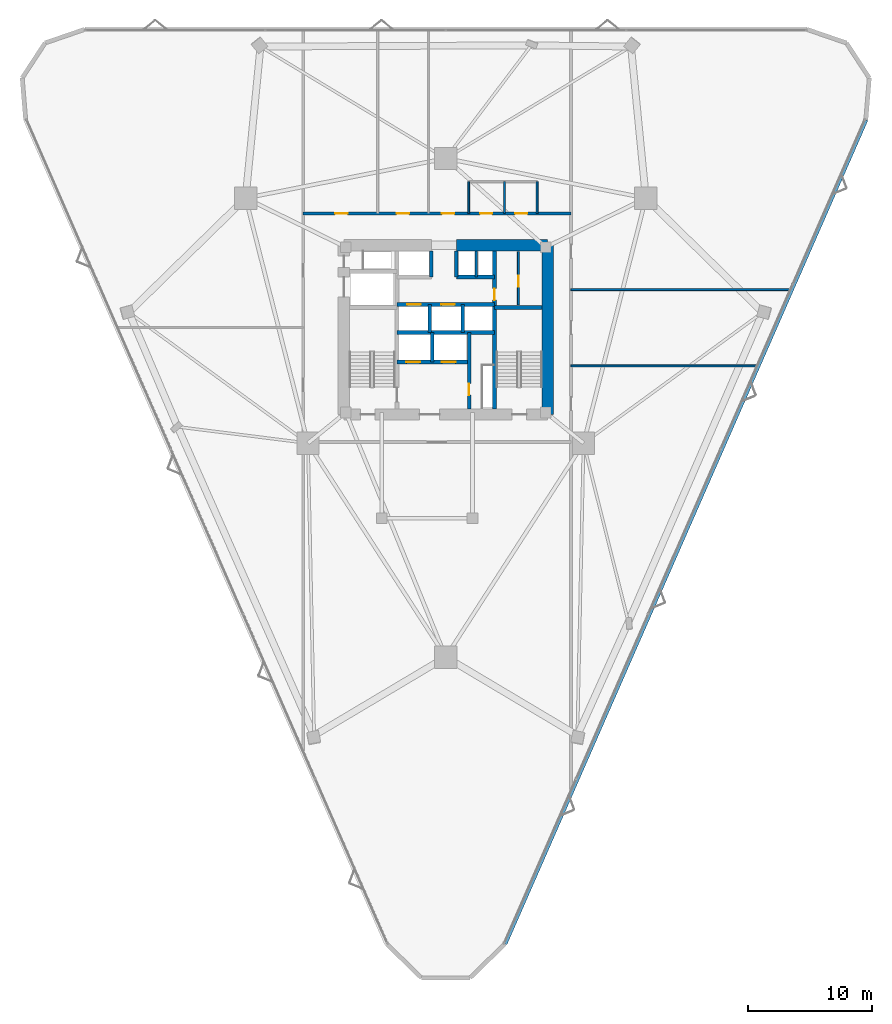
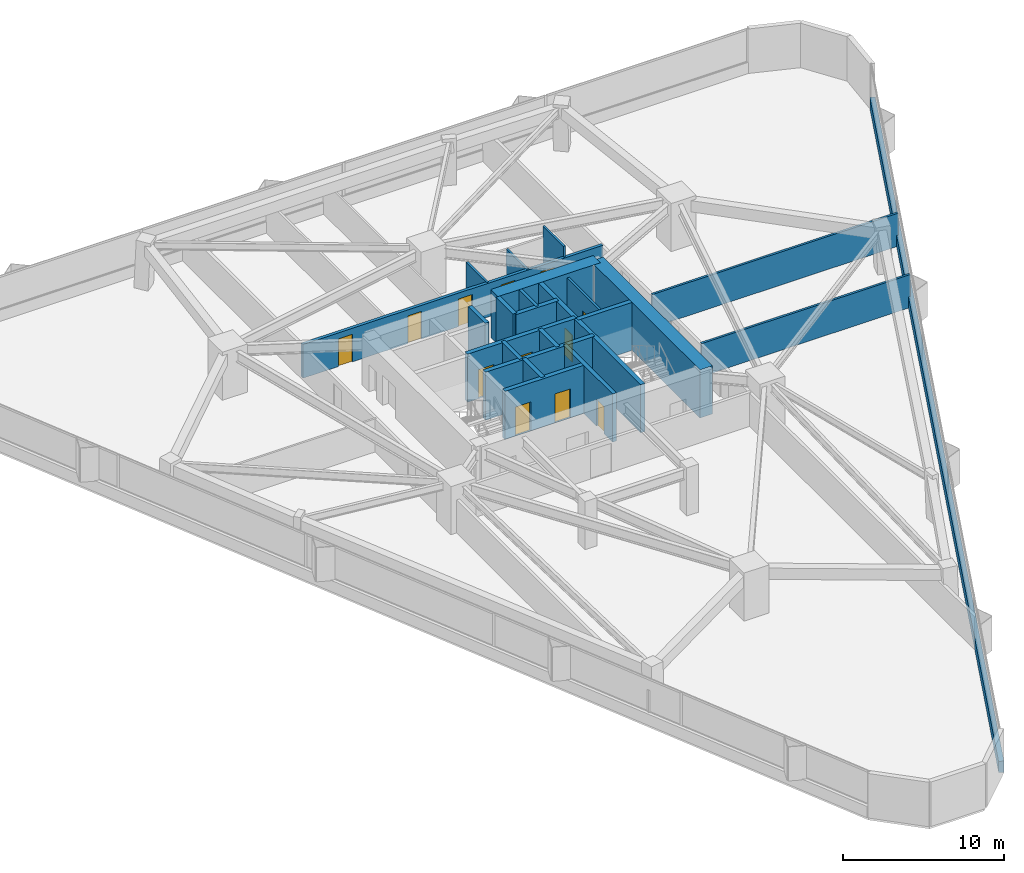
# One storey, part 18 of 20: 23 walls, 12 doors, 12 openings.
"""IFC4 building model written with IfcOpenShell, lengths in metres."""

from ifc_helpers import new_model, si_unit, direction, frame, frame_2d, origin, place, context, subcontext, project, spatial, rectangle, extrude, material, layer, layer_set, type_object, element, fill, save


model = new_model("IFC4")

# Units and contexts
model_context = context("Model", 3, precision=1e-05, world=origin(), true_north=direction((0.0, 1.0)))
body_context = subcontext(model_context, "Body", "Model", "MODEL_VIEW")
ifc_project = project(units=[si_unit("LENGTHUNIT", "METRE"), si_unit("AREAUNIT", "SQUARE_METRE"), si_unit("VOLUMEUNIT", "CUBIC_METRE"), si_unit("PLANEANGLEUNIT", "RADIAN"), si_unit("MASSUNIT", "GRAM", prefix="KILO")], contexts=[model_context])

# Site, building, storey
site_placement = place(None, origin())
site = spatial("IfcSite", under=ifc_project, at=site_placement, CompositionType="ELEMENT")
building_placement = place(site_placement, origin())
building = spatial("IfcBuilding", under=site, at=building_placement, Name="Talyreon Biosciences Tower", CompositionType="ELEMENT")
storey_placement = place(building_placement, frame((0.0, 0.0, 41.050048828125)))
storey = spatial("IfcBuildingStorey", under=building, at=storey_placement, Name="L10", CompositionType="ELEMENT", Elevation=41.050048828125)

# Walls
ifc_material_1 = material(Name="Concrete C50/60", Category="concrete")
ifc_layer_1 = layer(ifc_material_1, 0.219970703125)
ifc_layer_set_1 = layer_set([ifc_layer_1], Name="Concrete C50/60")
wall_type_1 = type_object("IfcWallType", Name="CoreShearWall_220", PredefinedType="SHEAR", material=ifc_layer_set_1)
wall_1_placement = place(storey_placement, frame((68.4599609375, 72.25, 0.0), z_axis=(0.0, 0.0, 1.0), x_axis=(0.0, 1.0, 0.0)))
element("IfcWall", 1, at=wall_1_placement, inside=storey, type_object=wall_type_1, Name="L10 Core Shaft Wall SWPHD", PredefinedType="SHEAR", context=body_context, shape_type="SweptSolid", body=[
    extrude(rectangle(XDim=2.10009765625, YDim=0.219970703125, at=frame_2d((1.050048828125, 0.0))), origin(), (0.0, 0.0, 1.0), 3.64990234375),
])
ifc_layer_2 = layer(ifc_material_1, 0.280029296875)
ifc_layer_set_2 = layer_set([ifc_layer_2], Name="Concrete C50/60")
wall_type_2 = type_object("IfcWallType", Name="CoreShearWall_280", PredefinedType="SHEAR", material=ifc_layer_set_2)
wall_2_placement = place(storey_placement, frame((64.919921875, 65.39990234375, 0.0), z_axis=(0.0, 0.0, 1.0), x_axis=(0.0, 1.0, 0.0)))
element("IfcWall", 2, at=wall_2_placement, inside=storey, type_object=wall_type_2, Name="L10 Core Shaft Wall SWSHD1", PredefinedType="SHEAR", context=body_context, shape_type="SweptSolid", body=[
    extrude(rectangle(XDim=2.400146484375, YDim=0.280029296875, at=frame_2d((1.2001953125, 0.0))), origin(), (0.0, 0.0, 1.0), 3.64990234375),
])
for number, where, z_axis, x_axis, name in (
    (3, (64.85009765625, 72.25, 0.0), (0.0, 0.0, 1.0), (0.0, 1.0, 0.0), "L10 Core Shaft Wall SWTHW"),
    (4, (66.85009765625, 72.25, 0.0), (0.0, 0.0, 1.0), (0.0, 1.0, 0.0), "L10 Core Shaft Wall SWTHE"),
):
    element("IfcWall", number, at=place(storey_placement, frame(where, z_axis=z_axis, x_axis=x_axis)), inside=storey, type_object=wall_type_2, Name=name, PredefinedType="SHEAR", context=body_context, shape_type="SweptSolid", body=[
        extrude(rectangle(XDim=2.10009765625, YDim=0.280029296875, at=frame_2d((1.050048828125, 0.0))), origin(), (0.0, 0.0, 1.0), 3.64990234375),
    ])

# Wall, opening, door
wall_3_placement = place(storey_placement, frame((67.8798828125, 61.64990234375, 0.0), z_axis=(0.0, 0.0, 1.0), x_axis=(0.0, 1.0, 0.0)))
wall_3 = element("IfcWall", 5, at=wall_3_placement, inside=storey, type_object=wall_type_2, Name="L10 Core Shaft Wall SWFFE", PredefinedType="SHEAR", context=body_context, shape_type="SweptSolid", body=[
    extrude(rectangle(XDim=6.150146484375, YDim=0.280029296875, at=frame_2d((3.0751953125, 0.0))), origin(), (0.0, 0.0, 1.0), 3.64990234375),
])
opening_1_placement = place(wall_3_placement, frame((1.10009765625, 0.0, 0.0)))
opening_1 = element("IfcOpeningElement", 6, at=opening_1_placement, cuts=wall_3, Name="Opening DR-L10-RSE", PredefinedType="OPENING", context=body_context, shape_type="SweptSolid", body=[
    extrude(rectangle(XDim=0.919921875, YDim=2.050048828125, at=frame_2d((0.4599609375, 1.02490234375))), frame((0.0, 0.14990234375, 0.0), z_axis=(0.0, -1.0, 0.0), x_axis=(1.0, 0.0, 0.0)), (0.0, 0.0, 1.0), 0.300048828125),
])
ifc_material_2 = material(Name="Painted steel fire-rated riser door", Category="steel")
door_type_1 = type_object("IfcDoorType", Name="RiserPlantAccessDoor_920x2050", OperationType="NOTDEFINED", PredefinedType="DOOR", material=ifc_material_2)
door_1_placement = place(opening_1_placement, origin())
door_1 = element("IfcDoor", 7, at=door_1_placement, inside=storey, type_object=door_type_1, Name="L10 Core Door DR-L10-RSE", OperationType="SINGLE_SWING_RIGHT", OverallHeight=2.050048828125, OverallWidth=0.919921875, PredefinedType="DOOR", context=body_context, shape_type="SweptSolid", body=[
    extrude(rectangle(XDim=0.919921875, YDim=2.050048828125, at=frame_2d((0.4599609375, 1.02490234375))), frame((0.0, 0.02490234375, 0.0), z_axis=(0.0, -1.0, 0.0), x_axis=(1.0, 0.0, 0.0)), (0.0, 0.0, 1.0), 0.050048828125),
])
fill(opening_1, door_1)

# Walls
for number, where, z_axis, x_axis, name in (
    (8, (64.719970703125, 67.800048828125, 0.0), (0.0, 0.0, 1.0), (0.0, 1.0, 0.0), "L10 Core Shaft Wall SWPLD"),
    (9, (67.3798828125, 67.800048828125, 0.0), (0.0, 0.0, 1.0), (0.0, 1.0, 0.0), "L10 Core Shaft Wall SWPMD"),
):
    element("IfcWall", number, at=place(storey_placement, frame(where, z_axis=z_axis, x_axis=x_axis)), inside=storey, type_object=wall_type_2, Name=name, PredefinedType="SHEAR", context=body_context, shape_type="SweptSolid", body=[
        extrude(rectangle(XDim=2.25, YDim=0.280029296875, at=frame_2d((1.125, 0.0))), origin(), (0.0, 0.0, 1.0), 3.64990234375),
    ])

# Wall, opening, door
ifc_layer_3 = layer(ifc_material_1, 0.320068359375)
ifc_layer_set_3 = layer_set([ifc_layer_3], Name="Concrete C50/60")
wall_type_3 = type_object("IfcWallType", Name="CoreShearWall_320", PredefinedType="SHEAR", material=ifc_layer_set_3)
wall_4_placement = place(storey_placement, frame((69.909912109375, 61.64990234375, 0.0), z_axis=(0.0, 0.0, 1.0), x_axis=(0.0, 1.0, 0.0)))
wall_4 = element("IfcWall", 10, at=wall_4_placement, inside=storey, type_object=wall_type_3, Name="L10 Core Shaft Wall SW2W", PredefinedType="SHEAR", context=body_context, shape_type="SweptSolid", body=[
    extrude(rectangle(XDim=12.7001953125, YDim=0.320068359375, at=frame_2d((6.35009765625, 0.0))), origin(), (0.0, 0.0, 1.0), 3.64990234375),
])
opening_2_placement = place(wall_4_placement, frame((8.75, 0.0, 0.0)))
opening_2 = element("IfcOpeningElement", 11, at=opening_2_placement, cuts=wall_4, Name="Opening DR-L10-CSRV", PredefinedType="OPENING", context=body_context, shape_type="SweptSolid", body=[
    extrude(rectangle(XDim=0.919921875, YDim=2.050048828125, at=frame_2d((0.4599609375, 1.02490234375))), frame((0.0, 0.169921875, 0.0), z_axis=(0.0, -1.0, 0.0), x_axis=(1.0, 0.0, 0.0)), (0.0, 0.0, 1.0), 0.340087890625),
])
door_2_placement = place(opening_2_placement, origin())
door_2 = element("IfcDoor", 12, at=door_2_placement, inside=storey, type_object=door_type_1, Name="L10 Core Door DR-L10-CSRV", OperationType="SINGLE_SWING_RIGHT", OverallHeight=2.050048828125, OverallWidth=0.919921875, PredefinedType="DOOR", context=body_context, shape_type="SweptSolid", body=[
    extrude(rectangle(XDim=0.919921875, YDim=2.050048828125, at=frame_2d((0.4599609375, 1.02490234375))), frame((0.0, 0.02490234375, 0.0), z_axis=(0.0, -1.0, 0.0), x_axis=(1.0, 0.0, 0.0)), (0.0, 0.0, 1.0), 0.050048828125),
])
fill(opening_2, door_2)

# Walls
wall_5_placement = place(storey_placement, frame((69.909912109375, 69.81005859375, 0.0), z_axis=(0.0, 0.0, 1.0), x_axis=(1.0, 0.0, 0.0)))
element("IfcWall", 13, at=wall_5_placement, inside=storey, type_object=wall_type_3, Name="L10 Core Shaft Wall SW2N", PredefinedType="SHEAR", context=body_context, shape_type="SweptSolid", body=[
    extrude(rectangle(XDim=3.840087890625, YDim=0.320068359375, at=frame_2d((1.919921875, 0.0))), origin(), (0.0, 0.0, 1.0), 3.64990234375),
])
wall_6_placement = place(storey_placement, frame((62.090087890625, 67.800048828125, 0.0), z_axis=(0.0, 0.0, 1.0), x_axis=(1.0, 0.0, 0.0)))
element("IfcWall", 14, at=wall_6_placement, inside=storey, type_object=wall_type_3, Name="L10 Core Shaft Wall SWSHM", PredefinedType="SHEAR", context=body_context, shape_type="SweptSolid", body=[
    extrude(rectangle(XDim=7.81982421875, YDim=0.320068359375, at=frame_2d((3.909912109375, 0.0))), origin(), (0.0, 0.0, 1.0), 3.64990234375),
])

# Wall, openings, doors
wall_7_placement = place(storey_placement, frame((62.090087890625, 70.050048828125, 0.0), z_axis=(0.0, 0.0, 1.0), x_axis=(1.0, 0.0, 0.0)))
wall_7 = element("IfcWall", 15, at=wall_7_placement, inside=storey, type_object=wall_type_3, Name="L10 Core Shaft Wall SWSPN", PredefinedType="SHEAR", context=body_context, shape_type="SweptSolid", body=[
    extrude(rectangle(XDim=7.81982421875, YDim=0.320068359375, at=frame_2d((3.909912109375, 0.0))), origin(), (0.0, 0.0, 1.0), 3.64990234375),
])
opening_3_placement = place(wall_7_placement, frame((0.800048828125, 0.0, 0.0)))
opening_3 = element("IfcOpeningElement", 16, at=opening_3_placement, cuts=wall_7, Name="Opening LD-L10-PL1", PredefinedType="OPENING", context=body_context, shape_type="SweptSolid", body=[
    extrude(rectangle(XDim=1.10009765625, YDim=2.199951171875, at=frame_2d((0.550048828125, 1.10009765625))), frame((0.0, 0.169921875, 0.0), z_axis=(0.0, -1.0, 0.0), x_axis=(1.0, 0.0, 0.0)), (0.0, 0.0, 1.0), 0.340087890625),
])
opening_4_placement = place(wall_7_placement, frame((3.550048828125, 0.0, 0.0)))
opening_4 = element("IfcOpeningElement", 17, at=opening_4_placement, cuts=wall_7, Name="Opening LD-L10-PL2", PredefinedType="OPENING", context=body_context, shape_type="SweptSolid", body=[
    extrude(rectangle(XDim=1.10009765625, YDim=2.199951171875, at=frame_2d((0.550048828125, 1.10009765625))), frame((0.0, 0.169921875, 0.0), z_axis=(0.0, -1.0, 0.0), x_axis=(1.0, 0.0, 0.0)), (0.0, 0.0, 1.0), 0.340087890625),
])
ifc_material_3 = material(Name="Brushed stainless-steel lift landing door", Category="steel")
door_type_2 = type_object("IfcDoorType", Name="LiftSlidingLandingDoor_1100x2200", OperationType="SLIDING_TO_LEFT", PredefinedType="DOOR", material=ifc_material_3)
door_3_placement = place(opening_3_placement, origin())
door_3 = element("IfcDoor", 18, at=door_3_placement, inside=storey, type_object=door_type_2, Name="L10 Core Door LD-L10-PL1", OperationType="SLIDING_TO_LEFT", OverallHeight=2.199951171875, OverallWidth=1.10009765625, PredefinedType="DOOR", context=body_context, shape_type="SweptSolid", body=[
    extrude(rectangle(XDim=1.10009765625, YDim=2.199951171875, at=frame_2d((0.550048828125, 1.10009765625))), frame((0.0, 0.02490234375, 0.0), z_axis=(0.0, -1.0, 0.0), x_axis=(1.0, 0.0, 0.0)), (0.0, 0.0, 1.0), 0.050048828125),
])
fill(opening_3, door_3)
door_4_placement = place(opening_4_placement, origin())
door_4 = element("IfcDoor", 19, at=door_4_placement, inside=storey, type_object=door_type_2, Name="L10 Core Door LD-L10-PL2", OperationType="SLIDING_TO_LEFT", OverallHeight=2.199951171875, OverallWidth=1.10009765625, PredefinedType="DOOR", context=body_context, shape_type="SweptSolid", body=[
    extrude(rectangle(XDim=1.10009765625, YDim=2.199951171875, at=frame_2d((0.550048828125, 1.10009765625))), frame((0.0, 0.02490234375, 0.0), z_axis=(0.0, -1.0, 0.0), x_axis=(1.0, 0.0, 0.0)), (0.0, 0.0, 1.0), 0.050048828125),
])
fill(opening_4, door_4)

# Wall
wall_8_placement = place(storey_placement, frame((66.85009765625, 72.25, 0.0), z_axis=(0.0, 0.0, 1.0), x_axis=(1.0, 0.0, 0.0)))
element("IfcWall", 20, at=wall_8_placement, inside=storey, type_object=wall_type_3, Name="L10 Core Shaft Wall SWNPE", PredefinedType="SHEAR", context=body_context, shape_type="SweptSolid", body=[
    extrude(rectangle(XDim=3.059814453125, YDim=0.320068359375, at=frame_2d((1.52978515625, 0.0))), origin(), (0.0, 0.0, 1.0), 3.64990234375),
])

# Wall, openings, doors
wall_9_placement = place(storey_placement, frame((62.090087890625, 65.39990234375, 0.0), z_axis=(0.0, 0.0, 1.0), x_axis=(1.0, 0.0, 0.0)))
wall_9 = element("IfcWall", 21, at=wall_9_placement, inside=storey, type_object=wall_type_3, Name="L10 Core Shaft Wall SWFFN", PredefinedType="SHEAR", context=body_context, shape_type="SweptSolid", body=[
    extrude(rectangle(XDim=5.789794921875, YDim=0.320068359375, at=frame_2d((2.89501953125, 0.0))), origin(), (0.0, 0.0, 1.0), 3.64990234375),
])
opening_5_placement = place(wall_9_placement, frame((0.75, 0.0, 0.0)))
opening_5 = element("IfcOpeningElement", 22, at=opening_5_placement, cuts=wall_9, Name="Opening LD-L10-FL1", PredefinedType="OPENING", context=body_context, shape_type="SweptSolid", body=[
    extrude(rectangle(XDim=1.10009765625, YDim=2.199951171875, at=frame_2d((0.550048828125, 1.10009765625))), frame((0.0, 0.169921875, 0.0), z_axis=(0.0, -1.0, 0.0), x_axis=(1.0, 0.0, 0.0)), (0.0, 0.0, 1.0), 0.340087890625),
])
opening_6_placement = place(wall_9_placement, frame((3.60009765625, 0.0, 0.0)))
opening_6 = element("IfcOpeningElement", 23, at=opening_6_placement, cuts=wall_9, Name="Opening LD-L10-FL2", PredefinedType="OPENING", context=body_context, shape_type="SweptSolid", body=[
    extrude(rectangle(XDim=1.10009765625, YDim=2.199951171875, at=frame_2d((0.550048828125, 1.10009765625))), frame((0.0, 0.169921875, 0.0), z_axis=(0.0, -1.0, 0.0), x_axis=(1.0, 0.0, 0.0)), (0.0, 0.0, 1.0), 0.340087890625),
])
door_5_placement = place(opening_5_placement, origin())
door_5 = element("IfcDoor", 24, at=door_5_placement, inside=storey, type_object=door_type_2, Name="L10 Core Door LD-L10-FL1", OperationType="SLIDING_TO_LEFT", OverallHeight=2.199951171875, OverallWidth=1.10009765625, PredefinedType="DOOR", context=body_context, shape_type="SweptSolid", body=[
    extrude(rectangle(XDim=1.10009765625, YDim=2.199951171875, at=frame_2d((0.550048828125, 1.10009765625))), frame((0.0, 0.02490234375, 0.0), z_axis=(0.0, -1.0, 0.0), x_axis=(1.0, 0.0, 0.0)), (0.0, 0.0, 1.0), 0.050048828125),
])
fill(opening_5, door_5)
door_6_placement = place(opening_6_placement, origin())
door_6 = element("IfcDoor", 25, at=door_6_placement, inside=storey, type_object=door_type_2, Name="L10 Core Door LD-L10-FL2", OperationType="SLIDING_TO_LEFT", OverallHeight=2.199951171875, OverallWidth=1.10009765625, PredefinedType="DOOR", context=body_context, shape_type="SweptSolid", body=[
    extrude(rectangle(XDim=1.10009765625, YDim=2.199951171875, at=frame_2d((0.550048828125, 1.10009765625))), frame((0.0, 0.02490234375, 0.0), z_axis=(0.0, -1.0, 0.0), x_axis=(1.0, 0.0, 0.0)), (0.0, 0.0, 1.0), 0.050048828125),
])
fill(opening_6, door_6)

# Walls
ifc_material_4 = material(Name="Concrete C60/75", Category="concrete")
ifc_layer_4 = layer(ifc_material_4, 0.89990234375)
ifc_layer_set_4 = layer_set([ifc_layer_4], Name="Concrete C60/75")
wall_type_4 = type_object("IfcWallType", Name="CoreShearWall_900", PredefinedType="SHEAR", material=ifc_layer_set_4)
wall_10_placement = place(storey_placement, frame((74.199951171875, 61.199951171875, 0.0), z_axis=(0.0, 0.0, 1.0), x_axis=(0.0, 1.0, 0.0)))
element("IfcWall", 26, at=wall_10_placement, inside=storey, type_object=wall_type_4, Name="L10 Core Shear Wall E", PredefinedType="SHEAR", context=body_context, shape_type="SweptSolid", body=[
    extrude(rectangle(XDim=13.60009765625, YDim=0.89990234375, at=frame_2d((6.800048828125, 0.0))), origin(), (0.0, 0.0, 1.0), 3.64990234375),
])
wall_11_placement = place(storey_placement, frame((74.199951171875, 74.800048828125, 0.0), z_axis=(0.0, 0.0, 1.0), x_axis=(-1.0, 0.0, 0.0)))
element("IfcWall", 27, at=wall_11_placement, inside=storey, type_object=wall_type_4, Name="L10 Core Shear Wall NE", PredefinedType="SHEAR", context=body_context, shape_type="SweptSolid", body=[
    extrude(rectangle(XDim=7.349853515625, YDim=0.89990234375, at=frame_2d((3.6748046875, 0.0))), origin(), (0.0, 0.0, 1.0), 3.64990234375),
])

# Wall, openings, doors
ifc_material_5 = material(Name="Gypsum fireboard acoustic stud", Category="gypsum")
ifc_layer_5 = layer(ifc_material_5, 0.219970703125)
ifc_layer_set_5 = layer_set([ifc_layer_5], Name="Gypsum fireboard acoustic stud")
wall_type_5 = type_object("IfcWallType", Name="CorridorRatedPartition_220", PredefinedType="PARTITIONING", material=ifc_layer_set_5)
wall_12_placement = place(storey_placement, frame((54.530029296875, 77.3701171875, 0.0), z_axis=(0.0, 0.0, 1.0), x_axis=(1.0, 0.0, 0.0)))
wall_12 = element("IfcWall", 28, at=wall_12_placement, inside=storey, type_object=wall_type_5, Name="L10 Interior Wall IW-L10-COR-N", PredefinedType="PARTITIONING", context=body_context, shape_type="SweptSolid", body=[
    extrude(rectangle(XDim=21.5400390625, YDim=0.219970703125, at=frame_2d((10.77001953125, 0.0))), origin(), (0.0, 0.0, 1.0), 2.554931640625),
])
opening_7_placement = place(wall_12_placement, frame((14.22998046875, 0.0, 0.0)))
opening_7 = element("IfcOpeningElement", 29, at=opening_7_placement, cuts=wall_12, Name="Opening DR-L10-WC", PredefinedType="OPENING", context=body_context, shape_type="SweptSolid", body=[
    extrude(rectangle(XDim=0.97998046875, YDim=2.10009765625, at=frame_2d((0.489990234375, 1.050048828125))), frame((0.0, 0.119873046875, 0.0), z_axis=(0.0, -1.0, 0.0), x_axis=(1.0, 0.0, 0.0)), (0.0, 0.0, 1.0), 0.239990234375),
])
opening_8_placement = place(wall_12_placement, frame((17.054931640625, 0.0, 0.0)))
opening_8 = element("IfcOpeningElement", 30, at=opening_8_placement, cuts=wall_12, Name="Opening DR-L10-AWC", PredefinedType="OPENING", context=body_context, shape_type="SweptSolid", body=[
    extrude(rectangle(XDim=0.97998046875, YDim=2.10009765625, at=frame_2d((0.489990234375, 1.050048828125))), frame((0.0, 0.119873046875, 0.0), z_axis=(0.0, -1.0, 0.0), x_axis=(1.0, 0.0, 0.0)), (0.0, 0.0, 1.0), 0.239990234375),
])
opening_9_placement = place(wall_12_placement, frame((2.56494140625, 0.0, 0.0)))
opening_9 = element("IfcOpeningElement", 31, at=opening_9_placement, cuts=wall_12, Name="Opening DR-L10-N1A", PredefinedType="OPENING", context=body_context, shape_type="SweptSolid", body=[
    extrude(rectangle(XDim=1.0, YDim=2.10009765625, at=frame_2d((0.5, 1.050048828125))), frame((0.0, 0.119873046875, 0.0), z_axis=(0.0, -1.0, 0.0), x_axis=(1.0, 0.0, 0.0)), (0.0, 0.0, 1.0), 0.239990234375),
])
opening_10_placement = place(wall_12_placement, frame((7.52490234375, 0.0, 0.0)))
opening_10 = element("IfcOpeningElement", 32, at=opening_10_placement, cuts=wall_12, Name="Opening DR-L10-N2A", PredefinedType="OPENING", context=body_context, shape_type="SweptSolid", body=[
    extrude(rectangle(XDim=1.0, YDim=2.10009765625, at=frame_2d((0.5, 1.050048828125))), frame((0.0, 0.119873046875, 0.0), z_axis=(0.0, -1.0, 0.0), x_axis=(1.0, 0.0, 0.0)), (0.0, 0.0, 1.0), 0.239990234375),
])
opening_11_placement = place(wall_12_placement, frame((11.155029296875, 0.0, 0.0)))
opening_11 = element("IfcOpeningElement", 33, at=opening_11_placement, cuts=wall_12, Name="Opening DR-L10-N3A", PredefinedType="OPENING", context=body_context, shape_type="SweptSolid", body=[
    extrude(rectangle(XDim=1.0, YDim=2.10009765625, at=frame_2d((0.5, 1.050048828125))), frame((0.0, 0.119873046875, 0.0), z_axis=(0.0, -1.0, 0.0), x_axis=(1.0, 0.0, 0.0)), (0.0, 0.0, 1.0), 0.239990234375),
])
ifc_material_6 = material(Name="Laminate moisture-resistant door", Category="wood")
door_type_3 = type_object("IfcDoorType", Name="AccessibleToiletDoor_980x2100", OperationType="NOTDEFINED", PredefinedType="DOOR", material=ifc_material_6)
door_7_placement = place(opening_7_placement, origin())
door_7 = element("IfcDoor", 34, at=door_7_placement, inside=storey, type_object=door_type_3, Name="L10 Interior Door DR-L10-WC", OperationType="SINGLE_SWING_RIGHT", OverallHeight=2.10009765625, OverallWidth=0.97998046875, PredefinedType="DOOR", context=body_context, shape_type="SweptSolid", body=[
    extrude(rectangle(XDim=0.97998046875, YDim=2.10009765625, at=frame_2d((0.489990234375, 1.050048828125))), frame((0.0, 0.02490234375, 0.0), z_axis=(0.0, -1.0, 0.0), x_axis=(1.0, 0.0, 0.0)), (0.0, 0.0, 1.0), 0.050048828125),
])
fill(opening_7, door_7)
door_8_placement = place(opening_8_placement, origin())
door_8 = element("IfcDoor", 35, at=door_8_placement, inside=storey, type_object=door_type_3, Name="L10 Interior Door DR-L10-AWC", OperationType="SINGLE_SWING_RIGHT", OverallHeight=2.10009765625, OverallWidth=0.97998046875, PredefinedType="DOOR", context=body_context, shape_type="SweptSolid", body=[
    extrude(rectangle(XDim=0.97998046875, YDim=2.10009765625, at=frame_2d((0.489990234375, 1.050048828125))), frame((0.0, 0.02490234375, 0.0), z_axis=(0.0, -1.0, 0.0), x_axis=(1.0, 0.0, 0.0)), (0.0, 0.0, 1.0), 0.050048828125),
])
fill(opening_8, door_8)
ifc_material_7 = material(Name="Acoustic oak veneer office door", Category="wood")
door_type_4 = type_object("IfcDoorType", Name="WriteupOfficeDoor_1000x2100", OperationType="NOTDEFINED", PredefinedType="DOOR", material=ifc_material_7)
door_9_placement = place(opening_9_placement, origin())
door_9 = element("IfcDoor", 36, at=door_9_placement, inside=storey, type_object=door_type_4, Name="L10 Interior Door DR-L10-N1A", OperationType="SINGLE_SWING_RIGHT", OverallHeight=2.10009765625, OverallWidth=1.0, PredefinedType="DOOR", context=body_context, shape_type="SweptSolid", body=[
    extrude(rectangle(XDim=1.0, YDim=2.10009765625, at=frame_2d((0.5, 1.050048828125))), frame((0.0, 0.02490234375, 0.0), z_axis=(0.0, -1.0, 0.0), x_axis=(1.0, 0.0, 0.0)), (0.0, 0.0, 1.0), 0.050048828125),
])
fill(opening_9, door_9)
door_10_placement = place(opening_10_placement, origin())
door_10 = element("IfcDoor", 37, at=door_10_placement, inside=storey, type_object=door_type_4, Name="L10 Interior Door DR-L10-N2A", OperationType="SINGLE_SWING_LEFT", OverallHeight=2.10009765625, OverallWidth=1.0, PredefinedType="DOOR", context=body_context, shape_type="SweptSolid", body=[
    extrude(rectangle(XDim=1.0, YDim=2.10009765625, at=frame_2d((0.5, 1.050048828125))), frame((0.0, 0.02490234375, 0.0), z_axis=(0.0, -1.0, 0.0), x_axis=(1.0, 0.0, 0.0)), (0.0, 0.0, 1.0), 0.050048828125),
])
fill(opening_10, door_10)
door_11_placement = place(opening_11_placement, origin())
door_11 = element("IfcDoor", 38, at=door_11_placement, inside=storey, type_object=door_type_4, Name="L10 Interior Door DR-L10-N3A", OperationType="SINGLE_SWING_RIGHT", OverallHeight=2.10009765625, OverallWidth=1.0, PredefinedType="DOOR", context=body_context, shape_type="SweptSolid", body=[
    extrude(rectangle(XDim=1.0, YDim=2.10009765625, at=frame_2d((0.5, 1.050048828125))), frame((0.0, 0.02490234375, 0.0), z_axis=(0.0, -1.0, 0.0), x_axis=(1.0, 0.0, 0.0)), (0.0, 0.0, 1.0), 0.050048828125),
])
fill(opening_11, door_11)

# Wall, opening, door
ifc_material_8 = material(Name="Gypsum acoustic stud partition", Category="gypsum")
ifc_layer_6 = layer(ifc_material_8, 0.159912109375)
ifc_layer_set_6 = layer_set([ifc_layer_6], Name="Gypsum acoustic stud partition")
wall_type_6 = type_object("IfcWallType", Name="LabSeparationPartition_160", PredefinedType="PARTITIONING", material=ifc_layer_set_6)
wall_13_placement = place(storey_placement, frame((71.85009765625, 70.0, 0.0), z_axis=(0.0, 0.0, 1.0), x_axis=(0.0, 1.0, 0.0)))
wall_13 = element("IfcWall", 39, at=wall_13_placement, inside=storey, type_object=wall_type_6, Name="L10 Interior Wall IW-L10-CSRV-V", PredefinedType="PARTITIONING", context=body_context, shape_type="SweptSolid", body=[
    extrude(rectangle(XDim=4.300048828125, YDim=0.159912109375, at=frame_2d((2.14990234375, 0.0))), origin(), (0.0, 0.0, 1.0), 3.375),
])
opening_12_placement = place(wall_13_placement, frame((1.449951171875, 0.0, 0.0)))
opening_12 = element("IfcOpeningElement", 40, at=opening_12_placement, cuts=wall_13, Name="Opening DR-L10-CSRV-I", PredefinedType="OPENING", context=body_context, shape_type="SweptSolid", body=[
    extrude(rectangle(XDim=0.919921875, YDim=2.050048828125, at=frame_2d((0.4599609375, 1.02490234375))), frame((0.0, 0.08984375, 0.0), z_axis=(0.0, -1.0, 0.0), x_axis=(1.0, 0.0, 0.0)), (0.0, 0.0, 1.0), 0.179931640625),
])
door_12_placement = place(opening_12_placement, origin())
door_12 = element("IfcDoor", 41, at=door_12_placement, inside=storey, type_object=door_type_1, Name="L10 Interior Door DR-L10-CSRV-I", OperationType="SINGLE_SWING_RIGHT", OverallHeight=2.050048828125, OverallWidth=0.919921875, PredefinedType="DOOR", context=body_context, shape_type="SweptSolid", body=[
    extrude(rectangle(XDim=0.919921875, YDim=2.050048828125, at=frame_2d((0.4599609375, 1.02490234375))), frame((0.0, 0.02490234375, 0.0), z_axis=(0.0, -1.0, 0.0), x_axis=(1.0, 0.0, 0.0)), (0.0, 0.0, 1.0), 0.050048828125),
])
fill(opening_12, door_12)

# Walls
wall_14_placement = place(storey_placement, frame((76.070068359375, 65.110107421875, 0.0), z_axis=(0.0, 0.0, 1.0), x_axis=(1.0, 0.0, 0.0)))
element("IfcWall", 42, at=wall_14_placement, inside=storey, type_object=wall_type_6, Name="L10 Interior Wall IW-L10-EDIV1", PredefinedType="PARTITIONING", context=body_context, shape_type="SweptSolid", body=[
    extrude(rectangle(XDim=14.977294921875, YDim=0.159912109375, at=frame_2d((7.48876953125, 0.0))), origin(), (0.0, 0.0, 1.0), 2.5048828125),
])
wall_15_placement = place(storey_placement, frame((76.070068359375, 71.239990234375, 0.0), z_axis=(0.0, 0.0, 1.0), x_axis=(1.0, 0.0, 0.0)))
element("IfcWall", 43, at=wall_15_placement, inside=storey, type_object=wall_type_6, Name="L10 Interior Wall IW-L10-EDIV2", PredefinedType="PARTITIONING", context=body_context, shape_type="SweptSolid", body=[
    extrude(rectangle(XDim=17.662353515625, YDim=0.159912109375, at=frame_2d((8.8310546875, 0.0))), origin(), (0.0, 0.0, 1.0), 2.5048828125),
])
ifc_material_9 = material(Name="Precast concrete C45/55", Category="concrete")
ifc_layer_7 = layer(ifc_material_9, 0.340087890625)
ifc_layer_set_7 = layer_set([ifc_layer_7], Name="Precast concrete C45/55")
wall_type_7 = type_object("IfcWallType", Name="PrecastConcreteSpandrelWall_340", PredefinedType="STANDARD", material=ifc_layer_set_7)
wall_16_placement = place(storey_placement, frame((99.80908203125, 84.901123046875, 0.0), z_axis=(0.0, 0.0, 1.0), x_axis=(-0.40122003264, -0.915981705826, 0.0)))
element("IfcWall", 44, at=wall_16_placement, inside=storey, type_object=wall_type_7, Name="L10 Expressed Concrete Sill Wall 08", PredefinedType="STANDARD", context=body_context, shape_type="SweptSolid", body=[
    extrude(rectangle(XDim=72.39404296875, YDim=0.340087890625, at=frame_2d((36.197021484375, 0.0))), origin(), (0.0, 0.0, 1.0), 0.849853515625),
])
ifc_material_10 = material(Name="Moisture-resistant cement-board stud", Category="gypsum")
ifc_layer_8 = layer(ifc_material_10, 0.14501953125)
ifc_layer_set_8 = layer_set([ifc_layer_8], Name="Moisture-resistant cement-board stud")
wall_type_8 = type_object("IfcWallType", Name="WetRoomPartition_145", PredefinedType="PARTITIONING", material=ifc_layer_set_8)
for number, where, z_axis, x_axis, name in (
    (45, (67.85009765625, 77.3701171875, 0.0), (0.0, 0.0, 1.0), (0.0, 1.0, 0.0), "L10 Interior Wall IW-L10-WCL"),
    (46, (70.72509765625, 77.3701171875, 0.0), (0.0, 0.0, 1.0), (0.0, 1.0, 0.0), "L10 Interior Wall IW-L10-WCM"),
):
    element("IfcWall", number, at=place(storey_placement, frame(where, z_axis=z_axis, x_axis=x_axis)), inside=storey, type_object=wall_type_8, Name=name, PredefinedType="PARTITIONING", context=body_context, shape_type="SweptSolid", body=[
        extrude(rectangle(XDim=2.5498046875, YDim=0.14501953125, at=frame_2d((1.27490234375, 0.0))), origin(), (0.0, 0.0, 1.0), 2.554931640625),
    ])
wall_17_placement = place(storey_placement, frame((73.35009765625, 77.3701171875, 0.0), z_axis=(0.0, 0.0, 1.0), x_axis=(0.0, 1.0, 0.0)))
element("IfcWall", 47, at=wall_17_placement, inside=storey, type_object=wall_type_8, Name="L10 Interior Wall IW-L10-WCR", PredefinedType="PARTITIONING", context=body_context, shape_type="SweptSolid", body=[
    extrude(rectangle(XDim=2.5498046875, YDim=0.14501953125, at=frame_2d((1.27490234375, 0.0))), origin(), (0.0, 0.0, 1.0), 3.375),
])

save(model, "model.ifc")
